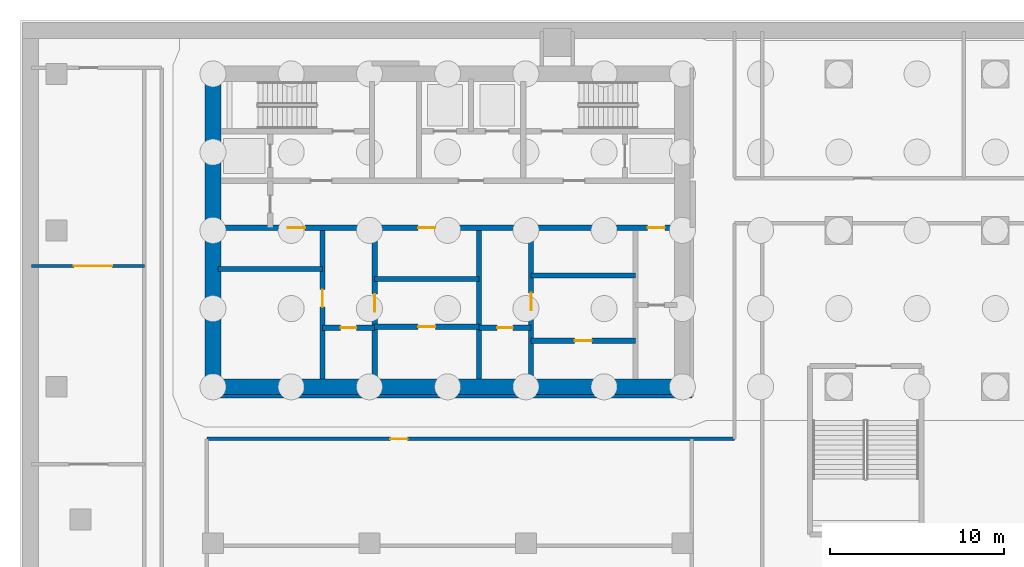
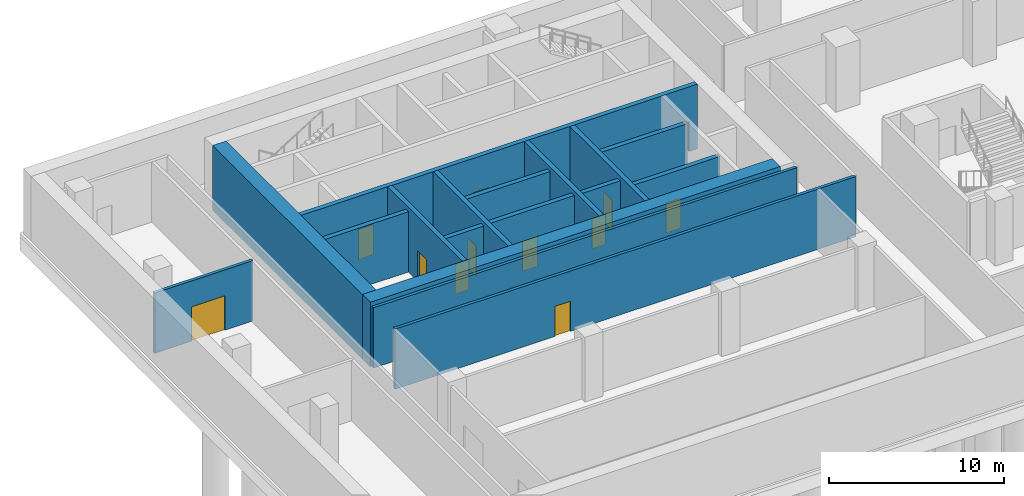
# One storey, part 2 of 13: 17 walls, 12 doors, 12 openings.
"""IFC4 building model written with IfcOpenShell, lengths in metres."""

from ifc_helpers import new_model, si_unit, direction, frame, frame_2d, origin, place, context, subcontext, project, spatial, rectangle, extrude, material, layer, layer_set, type_object, element, fill, save


model = new_model("IFC4")

# Units and contexts
model_context = context("Model", 3, precision=1e-05, world=origin(), true_north=direction((0.0, 1.0)))
body_context = subcontext(model_context, "Body", "Model", "MODEL_VIEW")
ifc_project = project(units=[si_unit("LENGTHUNIT", "METRE"), si_unit("AREAUNIT", "SQUARE_METRE"), si_unit("VOLUMEUNIT", "CUBIC_METRE"), si_unit("PLANEANGLEUNIT", "RADIAN"), si_unit("MASSUNIT", "GRAM", prefix="KILO")], contexts=[model_context])

# Site, building, storey
site_placement = place(None, origin())
site = spatial("IfcSite", under=ifc_project, at=site_placement, CompositionType="ELEMENT")
building_placement = place(site_placement, origin())
building = spatial("IfcBuilding", under=site, at=building_placement, Name="Ogive Portal Towers", CompositionType="ELEMENT")
storey_placement = place(building_placement, frame((0.0, 0.0, -9.0)))
storey = spatial("IfcBuildingStorey", under=building, at=storey_placement, Name="B2", CompositionType="ELEMENT", Elevation=-9.0)

# Wall, opening, door
ifc_material_1 = material(Name="Concrete C60/75", Category="concrete")
ifc_layer_1 = layer(ifc_material_1, 0.300048828125)
ifc_layer_set_1 = layer_set([ifc_layer_1], Name="CORE WALL 300 C60")
wall_type_1 = type_object("IfcWallType", Name="CORE WALL 300 C60", PredefinedType="SHEAR", material=ifc_layer_set_1)
wall_1_placement = place(storey_placement, frame((37.800048828125, 21.949951171875, 0.0), z_axis=(0.0, 0.0, 1.0), x_axis=(0.0, 1.0, 0.0)))
wall_1 = element("IfcWall", 1, at=wall_1_placement, inside=storey, type_object=wall_type_1, Name="Core wall X1 B2", PredefinedType="SHEAR", context=body_context, shape_type="SweptSolid", body=[
    extrude(rectangle(XDim=8.550048828125, YDim=0.300048828125, at=frame_2d((4.27490234375, 0.0))), origin(), (0.0, 0.0, 1.0), 4.5),
])
opening_1_placement = place(wall_1_placement, frame((4.137939453125, 0.0, 0.0)))
opening_1 = element("IfcOpeningElement", 2, at=opening_1_placement, cuts=wall_1, Name="Opening D100-015", PredefinedType="OPENING", context=body_context, shape_type="SweptSolid", body=[
    extrude(rectangle(XDim=1.0, YDim=2.10009765625, at=frame_2d((0.5, 1.050048828125))), frame((0.0, 0.16015625, 0.0), z_axis=(0.0, -1.0, 0.0), x_axis=(1.0, 0.0, 0.0)), (0.0, 0.0, 1.0), 0.320068359375),
])
ifc_material_2 = material(Name="Steel fire door", Category="steel")
door_type_1 = type_object("IfcDoorType", Name="DT-SWING-1000x2100-FD90S", OperationType="SINGLE_SWING_LEFT", PredefinedType="DOOR", material=ifc_material_2)
door_1_placement = place(opening_1_placement, origin())
door_1 = element("IfcDoor", 3, at=door_1_placement, inside=storey, type_object=door_type_1, Name="Door D100-015", OperationType="SINGLE_SWING_RIGHT", OverallHeight=2.10009765625, OverallWidth=1.0, PredefinedType="DOOR", context=body_context, shape_type="SweptSolid", body=[
    extrude(rectangle(XDim=1.0, YDim=2.10009765625, at=frame_2d((0.5, 1.050048828125))), frame((0.0, 0.02490234375, 0.0), z_axis=(0.0, -1.0, 0.0), x_axis=(1.0, 0.0, 0.0)), (0.0, 0.0, 1.0), 0.050048828125),
])
fill(opening_1, door_1)

wall_2_placement = place(storey_placement, frame((40.800048828125, 21.949951171875, 0.0), z_axis=(0.0, 0.0, 1.0), x_axis=(0.0, 1.0, 0.0)))
wall_2 = element("IfcWall", 4, at=wall_2_placement, inside=storey, type_object=wall_type_1, Name="Core wall X2 B2", PredefinedType="SHEAR", context=body_context, shape_type="SweptSolid", body=[
    extrude(rectangle(XDim=8.550048828125, YDim=0.300048828125, at=frame_2d((4.27490234375, 0.0))), origin(), (0.0, 0.0, 1.0), 4.5),
])
opening_2_placement = place(wall_2_placement, frame((3.875, 0.0, 0.0)))
opening_2 = element("IfcOpeningElement", 5, at=opening_2_placement, cuts=wall_2, Name="Opening D100-017", PredefinedType="OPENING", context=body_context, shape_type="SweptSolid", body=[
    extrude(rectangle(XDim=1.0, YDim=2.10009765625, at=frame_2d((0.5, 1.050048828125))), frame((0.0, 0.16015625, 0.0), z_axis=(0.0, -1.0, 0.0), x_axis=(1.0, 0.0, 0.0)), (0.0, 0.0, 1.0), 0.320068359375),
])
door_2_placement = place(opening_2_placement, origin())
door_2 = element("IfcDoor", 6, at=door_2_placement, inside=storey, type_object=door_type_1, Name="Door D100-017", OperationType="SINGLE_SWING_RIGHT", OverallHeight=2.10009765625, OverallWidth=1.0, PredefinedType="DOOR", context=body_context, shape_type="SweptSolid", body=[
    extrude(rectangle(XDim=1.0, YDim=2.10009765625, at=frame_2d((0.5, 1.050048828125))), frame((0.0, 0.02490234375, 0.0), z_axis=(0.0, -1.0, 0.0), x_axis=(1.0, 0.0, 0.0)), (0.0, 0.0, 1.0), 0.050048828125),
])
fill(opening_2, door_2)

# Wall
wall_3_placement = place(storey_placement, frame((46.800048828125, 21.949951171875, 0.0), z_axis=(0.0, 0.0, 1.0), x_axis=(0.0, 1.0, 0.0)))
element("IfcWall", 7, at=wall_3_placement, inside=storey, type_object=wall_type_1, Name="Core wall X3 B2", PredefinedType="SHEAR", context=body_context, shape_type="SweptSolid", body=[
    extrude(rectangle(XDim=8.550048828125, YDim=0.300048828125, at=frame_2d((4.27490234375, 0.0))), origin(), (0.0, 0.0, 1.0), 4.5),
])

# Wall, opening, door
wall_4_placement = place(storey_placement, frame((49.800048828125, 21.949951171875, 0.0), z_axis=(0.0, 0.0, 1.0), x_axis=(0.0, 1.0, 0.0)))
wall_4 = element("IfcWall", 8, at=wall_4_placement, inside=storey, type_object=wall_type_1, Name="Core wall X4 B2", PredefinedType="SHEAR", context=body_context, shape_type="SweptSolid", body=[
    extrude(rectangle(XDim=8.550048828125, YDim=0.300048828125, at=frame_2d((4.27490234375, 0.0))), origin(), (0.0, 0.0, 1.0), 4.5),
])
opening_3_placement = place(wall_4_placement, frame((3.949951171875, 0.0, 0.0)))
opening_3 = element("IfcOpeningElement", 9, at=opening_3_placement, cuts=wall_4, Name="Opening D100-019", PredefinedType="OPENING", context=body_context, shape_type="SweptSolid", body=[
    extrude(rectangle(XDim=1.0, YDim=2.10009765625, at=frame_2d((0.5, 1.050048828125))), frame((0.0, 0.16015625, 0.0), z_axis=(0.0, -1.0, 0.0), x_axis=(1.0, 0.0, 0.0)), (0.0, 0.0, 1.0), 0.320068359375),
])
door_3_placement = place(opening_3_placement, origin())
door_3 = element("IfcDoor", 10, at=door_3_placement, inside=storey, type_object=door_type_1, Name="Door D100-019", OperationType="SINGLE_SWING_RIGHT", OverallHeight=2.10009765625, OverallWidth=1.0, PredefinedType="DOOR", context=body_context, shape_type="SweptSolid", body=[
    extrude(rectangle(XDim=1.0, YDim=2.10009765625, at=frame_2d((0.5, 1.050048828125))), frame((0.0, 0.02490234375, 0.0), z_axis=(0.0, -1.0, 0.0), x_axis=(1.0, 0.0, 0.0)), (0.0, 0.0, 1.0), 0.050048828125),
])
fill(opening_3, door_3)

# Wall, openings, doors
wall_5_placement = place(storey_placement, frame((31.949951171875, 30.64990234375, 0.0), z_axis=(0.0, 0.0, 1.0), x_axis=(1.0, 0.0, 0.0)))
wall_5 = element("IfcWall", 11, at=wall_5_placement, inside=storey, type_object=wall_type_1, Name="Core wall Y1 B2", PredefinedType="SHEAR", context=body_context, shape_type="SweptSolid", body=[
    extrude(rectangle(XDim=26.10009765625, YDim=0.300048828125, at=frame_2d((13.050048828125, 0.0))), origin(), (0.0, 0.0, 1.0), 4.5),
])
opening_4_placement = place(wall_5_placement, frame((24.550048828125, 0.0, 0.0)))
opening_4 = element("IfcOpeningElement", 12, at=opening_4_placement, cuts=wall_5, Name="Opening D100-008", PredefinedType="OPENING", context=body_context, shape_type="SweptSolid", body=[
    extrude(rectangle(XDim=1.0, YDim=2.10009765625, at=frame_2d((0.5, 1.050048828125))), frame((0.0, 0.16015625, 0.0), z_axis=(0.0, -1.0, 0.0), x_axis=(1.0, 0.0, 0.0)), (0.0, 0.0, 1.0), 0.320068359375),
])
opening_5_placement = place(wall_5_placement, frame((3.85009765625, 0.0, 0.0)))
opening_5 = element("IfcOpeningElement", 13, at=opening_5_placement, cuts=wall_5, Name="Opening D100-014", PredefinedType="OPENING", context=body_context, shape_type="SweptSolid", body=[
    extrude(rectangle(XDim=1.0, YDim=2.10009765625, at=frame_2d((0.5, 1.050048828125))), frame((0.0, 0.16015625, 0.0), z_axis=(0.0, -1.0, 0.0), x_axis=(1.0, 0.0, 0.0)), (0.0, 0.0, 1.0), 0.320068359375),
])
opening_6_placement = place(wall_5_placement, frame((11.35009765625, 0.0, 0.0)))
opening_6 = element("IfcOpeningElement", 14, at=opening_6_placement, cuts=wall_5, Name="Opening D100-016", PredefinedType="OPENING", context=body_context, shape_type="SweptSolid", body=[
    extrude(rectangle(XDim=1.0, YDim=2.10009765625, at=frame_2d((0.5, 1.050048828125))), frame((0.0, 0.16015625, 0.0), z_axis=(0.0, -1.0, 0.0), x_axis=(1.0, 0.0, 0.0)), (0.0, 0.0, 1.0), 0.320068359375),
])
door_4_placement = place(opening_4_placement, origin())
door_4 = element("IfcDoor", 15, at=door_4_placement, inside=storey, type_object=door_type_1, Name="Door D100-008", OperationType="SINGLE_SWING_LEFT", OverallHeight=2.10009765625, OverallWidth=1.0, PredefinedType="DOOR", context=body_context, shape_type="SweptSolid", body=[
    extrude(rectangle(XDim=1.0, YDim=2.10009765625, at=frame_2d((0.5, 1.050048828125))), frame((0.0, 0.02490234375, 0.0), z_axis=(0.0, -1.0, 0.0), x_axis=(1.0, 0.0, 0.0)), (0.0, 0.0, 1.0), 0.050048828125),
])
fill(opening_4, door_4)
door_5_placement = place(opening_5_placement, origin())
door_5 = element("IfcDoor", 16, at=door_5_placement, inside=storey, type_object=door_type_1, Name="Riser access door D100-014", OperationType="SINGLE_SWING_LEFT", OverallHeight=2.10009765625, OverallWidth=1.0, PredefinedType="DOOR", context=body_context, shape_type="SweptSolid", body=[
    extrude(rectangle(XDim=1.0, YDim=2.10009765625, at=frame_2d((0.5, 1.050048828125))), frame((0.0, 0.02490234375, 0.0), z_axis=(0.0, -1.0, 0.0), x_axis=(1.0, 0.0, 0.0)), (0.0, 0.0, 1.0), 0.050048828125),
])
fill(opening_5, door_5)
door_6_placement = place(opening_6_placement, origin())
door_6 = element("IfcDoor", 17, at=door_6_placement, inside=storey, type_object=door_type_1, Name="Door D100-016", OperationType="SINGLE_SWING_LEFT", OverallHeight=2.10009765625, OverallWidth=1.0, PredefinedType="DOOR", context=body_context, shape_type="SweptSolid", body=[
    extrude(rectangle(XDim=1.0, YDim=2.10009765625, at=frame_2d((0.5, 1.050048828125))), frame((0.0, 0.02490234375, 0.0), z_axis=(0.0, -1.0, 0.0), x_axis=(1.0, 0.0, 0.0)), (0.0, 0.0, 1.0), 0.050048828125),
])
fill(opening_6, door_6)

# Walls
ifc_layer_2 = layer(ifc_material_1, 0.89990234375)
ifc_layer_set_2 = layer_set([ifc_layer_2], Name="CORE WALL 900 C60")
wall_type_2 = type_object("IfcWallType", Name="CORE WALL 900 C60", PredefinedType="SHEAR", material=ifc_layer_set_2)
wall_6_placement = place(storey_placement, frame((31.5, 21.949951171875, 0.0), z_axis=(0.0, 0.0, 1.0), x_axis=(0.0, 1.0, 0.0)))
element("IfcWall", 18, at=wall_6_placement, inside=storey, type_object=wall_type_2, Name="Core wall W B2", PredefinedType="SHEAR", context=body_context, shape_type="SweptSolid", body=[
    extrude(rectangle(XDim=17.10009765625, YDim=0.89990234375, at=frame_2d((8.550048828125, 0.0))), origin(), (0.0, 0.0, 1.0), 4.5),
])
wall_7_placement = place(storey_placement, frame((31.050048828125, 21.5, 0.0), z_axis=(0.0, 0.0, 1.0), x_axis=(1.0, 0.0, 0.0)))
element("IfcWall", 19, at=wall_7_placement, inside=storey, type_object=wall_type_2, Name="Core wall S B2", PredefinedType="SHEAR", context=body_context, shape_type="SweptSolid", body=[
    extrude(rectangle(XDim=27.0, YDim=0.89990234375, at=frame_2d((13.5, 0.0))), origin(), (0.0, 0.0, 1.0), 4.5),
])

# Wall, opening, door
ifc_material_3 = material(Name="Gypsum board partition on steel studs", Category="steel")
ifc_layer_3 = layer(ifc_material_3, 0.199951171875)
ifc_layer_set_3 = layer_set([ifc_layer_3], Name="WT-PART-200-EI 60")
wall_type_3 = type_object("IfcWallType", Name="WT-PART-200-EI 60", PredefinedType="PARTITIONING", material=ifc_layer_set_3)
wall_8_placement = place(storey_placement, frame((31.14990234375, 18.5, 0.0), z_axis=(0.0, 0.0, 1.0), x_axis=(1.0, 0.0, 0.0)))
wall_8 = element("IfcWall", 20, at=wall_8_placement, inside=storey, type_object=wall_type_3, Name="Wall B2:w005", PredefinedType="PARTITIONING", context=body_context, shape_type="SweptSolid", body=[
    extrude(rectangle(XDim=30.35009765625, YDim=0.199951171875, at=frame_2d((15.175048828125, 0.0))), origin(), (0.0, 0.0, 1.0), 4.199951171875),
])
opening_7_placement = place(wall_8_placement, frame((10.550048828125, 0.0, 0.0)))
opening_7 = element("IfcOpeningElement", 21, at=opening_7_placement, cuts=wall_8, Name="Opening PB2-014", PredefinedType="OPENING", context=body_context, shape_type="SweptSolid", body=[
    extrude(rectangle(XDim=1.0, YDim=2.10009765625, at=frame_2d((0.5, 1.050048828125))), frame((0.0, 0.10986328125, 0.0), z_axis=(0.0, -1.0, 0.0), x_axis=(1.0, 0.0, 0.0)), (0.0, 0.0, 1.0), 0.219970703125),
])
door_type_2 = type_object("IfcDoorType", Name="DT-SWING-1000x2100-FD60S", OperationType="SINGLE_SWING_LEFT", PredefinedType="DOOR", material=ifc_material_2)
door_7_placement = place(opening_7_placement, origin())
door_7 = element("IfcDoor", 22, at=door_7_placement, inside=storey, type_object=door_type_2, Name="Door PB2-014", OperationType="SINGLE_SWING_RIGHT", OverallHeight=2.10009765625, OverallWidth=1.0, PredefinedType="DOOR", context=body_context, shape_type="SweptSolid", body=[
    extrude(rectangle(XDim=1.0, YDim=2.10009765625, at=frame_2d((0.5, 1.050048828125))), frame((0.0, 0.02490234375, 0.0), z_axis=(0.0, -1.0, 0.0), x_axis=(1.0, 0.0, 0.0)), (0.0, 0.0, 1.0), 0.050048828125),
])
fill(opening_7, door_7)

# Wall
wall_9_placement = place(storey_placement, frame((31.14990234375, 20.949951171875, 0.0), z_axis=(0.0, 0.0, 1.0), x_axis=(1.0, 0.0, 0.0)))
element("IfcWall", 23, at=wall_9_placement, inside=storey, type_object=wall_type_3, Name="Wall B2:w006", PredefinedType="PARTITIONING", context=body_context, shape_type="SweptSolid", body=[
    extrude(rectangle(XDim=27.900146484375, YDim=0.199951171875, at=frame_2d((13.9501953125, 0.0))), origin(), (0.0, 0.0, 1.0), 4.199951171875),
])

# Wall, opening, door
wall_10_placement = place(storey_placement, frame((21.070068359375, 28.449951171875, 0.0), z_axis=(0.0, 0.0, 1.0), x_axis=(1.0, 0.0, 0.0)))
wall_10 = element("IfcWall", 24, at=wall_10_placement, inside=storey, type_object=wall_type_3, Name="Wall B2:w009", PredefinedType="PARTITIONING", context=body_context, shape_type="SweptSolid", body=[
    extrude(rectangle(XDim=6.47998046875, YDim=0.199951171875, at=frame_2d((3.239990234375, 0.0))), origin(), (0.0, 0.0, 1.0), 4.199951171875),
])
opening_8_placement = place(wall_10_placement, frame((2.429931640625, 0.0, 0.0)))
opening_8 = element("IfcOpeningElement", 25, at=opening_8_placement, cuts=wall_10, Name="Opening PB2-015", PredefinedType="OPENING", context=body_context, shape_type="SweptSolid", body=[
    extrude(rectangle(XDim=2.199951171875, YDim=2.39990234375, at=frame_2d((1.10009765625, 1.199951171875))), frame((0.0, 0.10986328125, 0.0), z_axis=(0.0, -1.0, 0.0), x_axis=(1.0, 0.0, 0.0)), (0.0, 0.0, 1.0), 0.219970703125),
])
door_type_3 = type_object("IfcDoorType", Name="DT-PLANT-2200x2400-FD60S", OperationType="SINGLE_SWING_LEFT", PredefinedType="DOOR", material=ifc_material_2)
door_8_placement = place(opening_8_placement, origin())
door_8 = element("IfcDoor", 26, at=door_8_placement, inside=storey, type_object=door_type_3, Name="Door PB2-015", OperationType="SINGLE_SWING_LEFT", OverallHeight=2.39990234375, OverallWidth=2.199951171875, PredefinedType="DOOR", context=body_context, shape_type="SweptSolid", body=[
    extrude(rectangle(XDim=2.199951171875, YDim=2.39990234375, at=frame_2d((1.10009765625, 1.199951171875))), frame((0.0, 0.02490234375, 0.0), z_axis=(0.0, -1.0, 0.0), x_axis=(1.0, 0.0, 0.0)), (0.0, 0.0, 1.0), 0.050048828125),
])
fill(opening_8, door_8)

ifc_layer_4 = layer(ifc_material_3, 0.300048828125)
ifc_layer_set_4 = layer_set([ifc_layer_4], Name="WT-PART-300")
wall_type_4 = type_object("IfcWallType", Name="WT-PART-300", PredefinedType="PARTITIONING", material=ifc_layer_set_4)
wall_11_placement = place(storey_placement, frame((49.800048828125, 24.14990234375, 0.0), z_axis=(0.0, 0.0, 1.0), x_axis=(1.0, 0.0, 0.0)))
wall_11 = element("IfcWall", 27, at=wall_11_placement, inside=storey, type_object=wall_type_4, Name="Wall pw:001:B2", PredefinedType="PARTITIONING", context=body_context, shape_type="SweptSolid", body=[
    extrude(rectangle(XDim=6.0, YDim=0.300048828125, at=frame_2d((3.0, 0.0))), origin(), (0.0, 0.0, 1.0), 4.199951171875),
])
opening_9_placement = place(wall_11_placement, frame((2.5, 0.0, 0.0)))
opening_9 = element("IfcOpeningElement", 28, at=opening_9_placement, cuts=wall_11, Name="Opening D100-020", PredefinedType="OPENING", context=body_context, shape_type="SweptSolid", body=[
    extrude(rectangle(XDim=1.0, YDim=2.10009765625, at=frame_2d((0.5, 1.050048828125))), frame((0.0, 0.16015625, 0.0), z_axis=(0.0, -1.0, 0.0), x_axis=(1.0, 0.0, 0.0)), (0.0, 0.0, 1.0), 0.320068359375),
])
door_9_placement = place(opening_9_placement, origin())
door_9 = element("IfcDoor", 29, at=door_9_placement, inside=storey, type_object=door_type_2, Name="Door D100-020", OperationType="SINGLE_SWING_RIGHT", OverallHeight=2.10009765625, OverallWidth=1.0, PredefinedType="DOOR", context=body_context, shape_type="SweptSolid", body=[
    extrude(rectangle(XDim=1.0, YDim=2.10009765625, at=frame_2d((0.5, 1.050048828125))), frame((0.0, 0.02490234375, 0.0), z_axis=(0.0, -1.0, 0.0), x_axis=(1.0, 0.0, 0.0)), (0.0, 0.0, 1.0), 0.050048828125),
])
fill(opening_9, door_9)

wall_12_placement = place(storey_placement, frame((37.800048828125, 24.89990234375, 0.0), z_axis=(0.0, 0.0, 1.0), x_axis=(1.0, 0.0, 0.0)))
wall_12 = element("IfcWall", 30, at=wall_12_placement, inside=storey, type_object=wall_type_4, Name="Wall pw:002:B2", PredefinedType="PARTITIONING", context=body_context, shape_type="SweptSolid", body=[
    extrude(rectangle(XDim=3.0, YDim=0.300048828125, at=frame_2d((1.5, 0.0))), origin(), (0.0, 0.0, 1.0), 4.199951171875),
])
opening_10_placement = place(wall_12_placement, frame((1.050048828125, 0.0, 0.0)))
opening_10 = element("IfcOpeningElement", 31, at=opening_10_placement, cuts=wall_12, Name="Opening D100-006", PredefinedType="OPENING", context=body_context, shape_type="SweptSolid", body=[
    extrude(rectangle(XDim=0.89990234375, YDim=2.10009765625, at=frame_2d((0.449951171875, 1.050048828125))), frame((0.0, 0.16015625, 0.0), z_axis=(0.0, -1.0, 0.0), x_axis=(1.0, 0.0, 0.0)), (0.0, 0.0, 1.0), 0.320068359375),
])
door_type_4 = type_object("IfcDoorType", Name="DT-SWING-900x2100-FD60S", OperationType="SINGLE_SWING_LEFT", PredefinedType="DOOR", material=ifc_material_2)
door_10_placement = place(opening_10_placement, origin())
door_10 = element("IfcDoor", 32, at=door_10_placement, inside=storey, type_object=door_type_4, Name="Riser access door D100-006", OperationType="SINGLE_SWING_LEFT", OverallHeight=2.10009765625, OverallWidth=0.89990234375, PredefinedType="DOOR", context=body_context, shape_type="SweptSolid", body=[
    extrude(rectangle(XDim=0.89990234375, YDim=2.10009765625, at=frame_2d((0.449951171875, 1.050048828125))), frame((0.0, 0.02490234375, 0.0), z_axis=(0.0, -1.0, 0.0), x_axis=(1.0, 0.0, 0.0)), (0.0, 0.0, 1.0), 0.050048828125),
])
fill(opening_10, door_10)

wall_13_placement = place(storey_placement, frame((46.800048828125, 24.89990234375, 0.0), z_axis=(0.0, 0.0, 1.0), x_axis=(1.0, 0.0, 0.0)))
wall_13 = element("IfcWall", 33, at=wall_13_placement, inside=storey, type_object=wall_type_4, Name="Wall pw:003:B2", PredefinedType="PARTITIONING", context=body_context, shape_type="SweptSolid", body=[
    extrude(rectangle(XDim=3.0, YDim=0.300048828125, at=frame_2d((1.5, 0.0))), origin(), (0.0, 0.0, 1.0), 4.199951171875),
])
opening_11_placement = place(wall_13_placement, frame((1.050048828125, 0.0, 0.0)))
opening_11 = element("IfcOpeningElement", 34, at=opening_11_placement, cuts=wall_13, Name="Opening D100-007", PredefinedType="OPENING", context=body_context, shape_type="SweptSolid", body=[
    extrude(rectangle(XDim=0.89990234375, YDim=2.10009765625, at=frame_2d((0.449951171875, 1.050048828125))), frame((0.0, 0.16015625, 0.0), z_axis=(0.0, -1.0, 0.0), x_axis=(1.0, 0.0, 0.0)), (0.0, 0.0, 1.0), 0.320068359375),
])
door_11_placement = place(opening_11_placement, origin())
door_11 = element("IfcDoor", 35, at=door_11_placement, inside=storey, type_object=door_type_4, Name="Riser access door D100-007", OperationType="SINGLE_SWING_RIGHT", OverallHeight=2.10009765625, OverallWidth=0.89990234375, PredefinedType="DOOR", context=body_context, shape_type="SweptSolid", body=[
    extrude(rectangle(XDim=0.89990234375, YDim=2.10009765625, at=frame_2d((0.449951171875, 1.050048828125))), frame((0.0, 0.02490234375, 0.0), z_axis=(0.0, -1.0, 0.0), x_axis=(1.0, 0.0, 0.0)), (0.0, 0.0, 1.0), 0.050048828125),
])
fill(opening_11, door_11)

wall_14_placement = place(storey_placement, frame((40.800048828125, 24.949951171875, 0.0), z_axis=(0.0, 0.0, 1.0), x_axis=(1.0, 0.0, 0.0)))
wall_14 = element("IfcWall", 36, at=wall_14_placement, inside=storey, type_object=wall_type_4, Name="Wall pw:004:B2", PredefinedType="PARTITIONING", context=body_context, shape_type="SweptSolid", body=[
    extrude(rectangle(XDim=6.0, YDim=0.300048828125, at=frame_2d((3.0, 0.0))), origin(), (0.0, 0.0, 1.0), 4.199951171875),
])
opening_12_placement = place(wall_14_placement, frame((2.5, 0.0, 0.0)))
opening_12 = element("IfcOpeningElement", 37, at=opening_12_placement, cuts=wall_14, Name="Opening D100-018", PredefinedType="OPENING", context=body_context, shape_type="SweptSolid", body=[
    extrude(rectangle(XDim=1.0, YDim=2.10009765625, at=frame_2d((0.5, 1.050048828125))), frame((0.0, 0.16015625, 0.0), z_axis=(0.0, -1.0, 0.0), x_axis=(1.0, 0.0, 0.0)), (0.0, 0.0, 1.0), 0.320068359375),
])
door_12_placement = place(opening_12_placement, origin())
door_12 = element("IfcDoor", 38, at=door_12_placement, inside=storey, type_object=door_type_2, Name="Door D100-018", OperationType="SINGLE_SWING_RIGHT", OverallHeight=2.10009765625, OverallWidth=1.0, PredefinedType="DOOR", context=body_context, shape_type="SweptSolid", body=[
    extrude(rectangle(XDim=1.0, YDim=2.10009765625, at=frame_2d((0.5, 1.050048828125))), frame((0.0, 0.02490234375, 0.0), z_axis=(0.0, -1.0, 0.0), x_axis=(1.0, 0.0, 0.0)), (0.0, 0.0, 1.0), 0.050048828125),
])
fill(opening_12, door_12)

# Walls
for number, where, z_axis, x_axis, name in (
    (39, (40.800048828125, 27.699951171875, 0.0), (0.0, 0.0, 1.0), (1.0, 0.0, 0.0), "Wall pw:006:B2"),
    (40, (49.800048828125, 27.89990234375, 0.0), (0.0, 0.0, 1.0), (1.0, 0.0, 0.0), "Wall pw:007:B2"),
    (41, (31.800048828125, 28.277099609375, 0.0), (0.0, 0.0, 1.0), (1.0, 0.0, 0.0), "Wall pw:008:B2"),
):
    element("IfcWall", number, at=place(storey_placement, frame(where, z_axis=z_axis, x_axis=x_axis)), inside=storey, type_object=wall_type_4, Name=name, PredefinedType="PARTITIONING", context=body_context, shape_type="SweptSolid", body=[
        extrude(rectangle(XDim=6.0, YDim=0.300048828125, at=frame_2d((3.0, 0.0))), origin(), (0.0, 0.0, 1.0), 4.199951171875),
    ])

save(model, "model.ifc")
